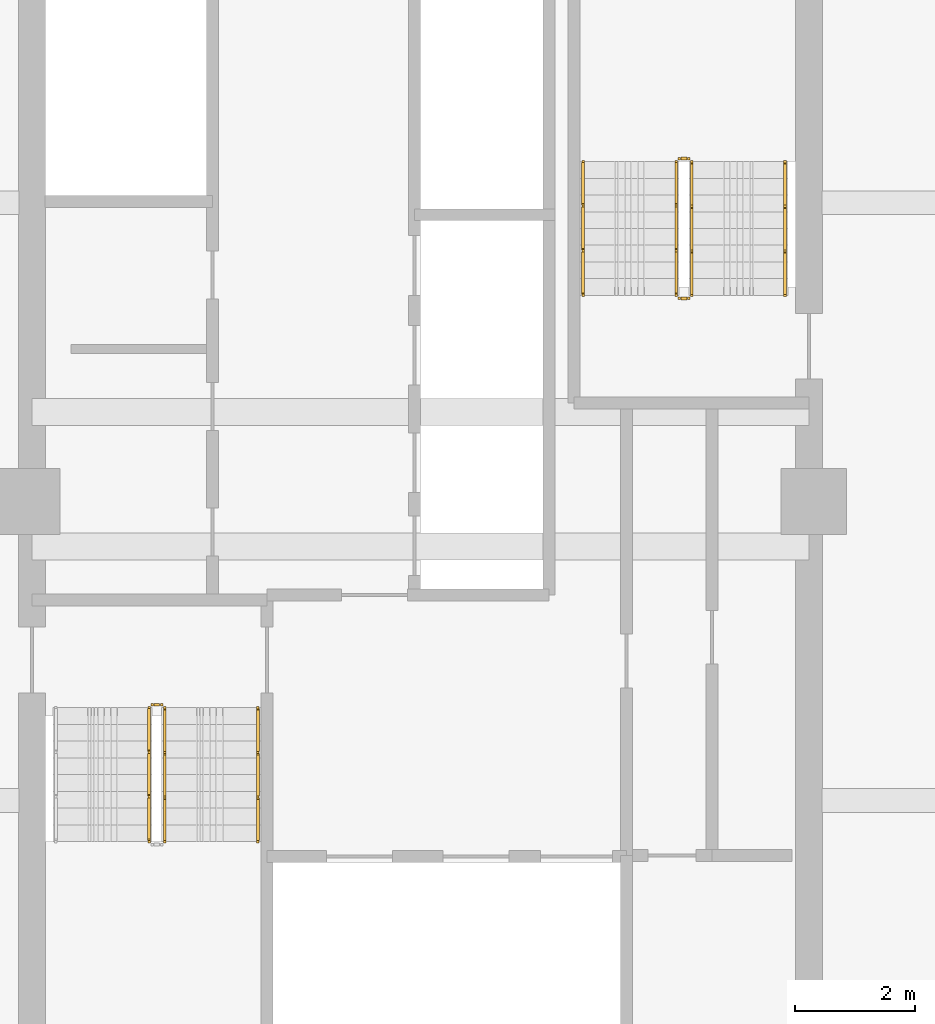
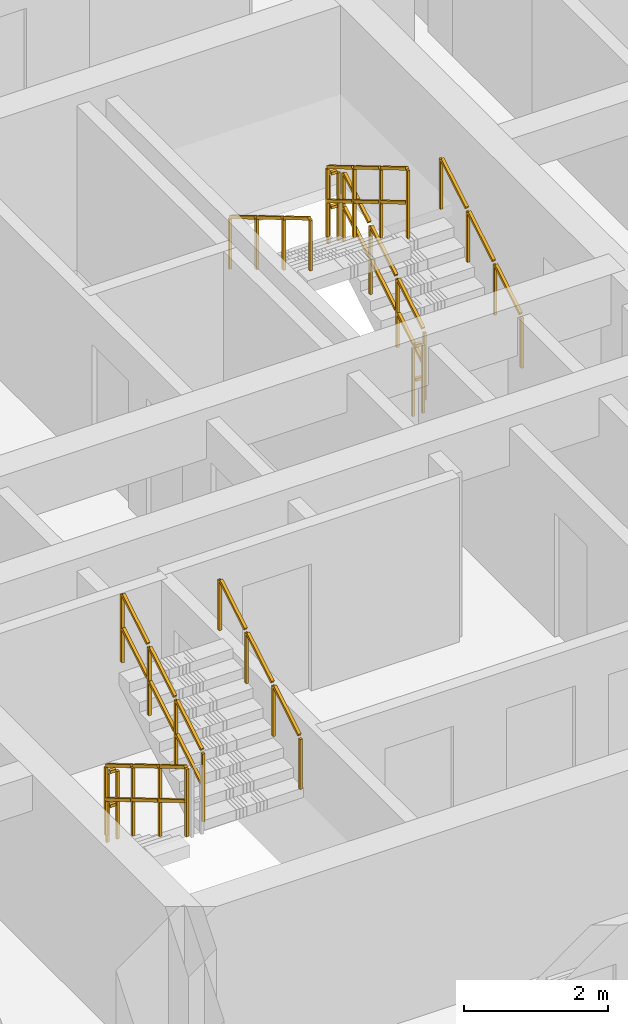
# One storey, part 21 of 23: 10 railings.
"""IFC4 building model written with IfcOpenShell, lengths in metres."""

import ifcopenshell
import ifcopenshell.guid

model = None  # the IFC model being written
_history = None  # IfcOwnerHistory: only IFC2X3 demands one
_inside = {}  # id of a spatial element -> (the spatial element, [elements in it])
_under = {}  # id of a project, library or spatial element -> (it, [spatial elements below it])
_declared = {}  # id of a project -> (the project, [libraries it declares])
_typed = {}  # id of a type object -> (the type object, [elements of that type])
_made_of = {}  # id of a material, layer set ... -> (it, [elements and type objects made of it])


def new_model(schema):
    """Start an empty IFC model of exactly this schema.

    Asked for "IFC4X3", IfcOpenShell would pick the latest addendum, in which some entities
    have other attributes; the version numbers below select the first issue.
    IFC2X3 requires an IfcOwnerHistory on every rooted entity: one is made here for all.
    """
    global model, _history
    if schema == "IFC4X3":
        model = ifcopenshell.file(schema_version=(4, 3, 0, 0))
    else:
        model = ifcopenshell.file(schema=schema)
    _inside.clear()
    _under.clear()
    _declared.clear()
    _typed.clear()
    _made_of.clear()
    _history = None
    if model.schema == "IFC2X3":
        org = make("IfcOrganization", Name="unknown")
        user = make(
            "IfcPersonAndOrganization",
            ThePerson=make("IfcPerson", FamilyName="unknown"),
            TheOrganization=org,
        )
        app = make(
            "IfcApplication",
            ApplicationDeveloper=org,
            Version="unknown",
            ApplicationFullName="unknown",
            ApplicationIdentifier="unknown",
        )
        _history = make(
            "IfcOwnerHistory",
            OwningUser=user,
            OwningApplication=app,
            ChangeAction="ADDED",
            CreationDate=0,
        )
    return model


def make(cls, **values):
    """One entity of the class cls with the attributes given. An attribute that is None is left unset."""
    return model.create_entity(
        cls, **{name: value for name, value in values.items() if value is not None}
    )


def rooted(cls, **values):
    """An entity with a GlobalId (a new one), such as an element, a storey or a relation."""
    return make(cls, GlobalId=ifcopenshell.guid.new(), OwnerHistory=_history, **values)


def si_unit(unit_type, name, prefix=None):
    """IfcSIUnit, for example si_unit("LENGTHUNIT", "METRE", prefix="MILLI")."""
    return make("IfcSIUnit", UnitType=unit_type, Prefix=prefix, Name=name)


def assignment(units):
    """IfcUnitAssignment: the units of a project."""
    return None if units is None else make("IfcUnitAssignment", Units=units)


def point(xyz):
    """IfcCartesianPoint."""
    return None if xyz is None else make("IfcCartesianPoint", Coordinates=xyz)


def direction(xyz):
    """IfcDirection."""
    return None if xyz is None else make("IfcDirection", DirectionRatios=xyz)


def frame(location, z_axis=None, x_axis=None):
    """IfcAxis2Placement3D, a coordinate frame: its origin and axes. An axis left out is left unset."""
    return make(
        "IfcAxis2Placement3D",
        Location=point(location),
        Axis=direction(z_axis),
        RefDirection=direction(x_axis),
    )


def frame_2d(location, x_axis=None):
    """IfcAxis2Placement2D, a coordinate frame in the plane: its origin and x axis."""
    return make(
        "IfcAxis2Placement2D", Location=point(location), RefDirection=direction(x_axis)
    )


def origin():
    """The frame at (0, 0, 0) with its axes left unset."""
    return frame((0.0, 0.0, 0.0))


def origin_2d():
    """The frame at (0, 0) in the plane with its x axis left unset."""
    return frame_2d((0.0, 0.0))


def place(relative_to, where):
    """IfcLocalPlacement: puts the frame where relative to a parent placement (None: the world)."""
    return make(
        "IfcLocalPlacement", PlacementRelTo=relative_to, RelativePlacement=where
    )


def context(
    kind, dimensions, precision=None, world=None, true_north=None, identifier=None
):
    """IfcGeometricRepresentationContext, for example the 3D "Model" context."""
    return make(
        "IfcGeometricRepresentationContext",
        ContextIdentifier=identifier,
        ContextType=kind,
        CoordinateSpaceDimension=dimensions,
        Precision=precision,
        WorldCoordinateSystem=world,
        TrueNorth=true_north,
    )


def subcontext(parent, identifier, kind, view, scale=None):
    """IfcGeometricRepresentationSubContext, for example "Body" below "Model"."""
    return make(
        "IfcGeometricRepresentationSubContext",
        ContextIdentifier=identifier,
        ContextType=kind,
        ParentContext=parent,
        TargetScale=scale,
        TargetView=view,
    )


def project(units=None, contexts=None):
    """IfcProject with its units and contexts."""
    return rooted(
        "IfcProject",
        Name="project",
        RepresentationContexts=contexts,
        UnitsInContext=assignment(units),
    )


def spatial(cls, under=None, at=None, **own):
    """A site, building, storey or space (cls), placed at a placement, below another one or the project."""
    s = rooted(cls, ObjectPlacement=at, **own)
    if under is not None:
        _under.setdefault(under.id(), (under, []))[1].append(s)
    return s


def profile(cls, at=None, kind="AREA", **sizes):
    """A parametric profile (cls). Its sizes go by their IFC names, for example OverallWidth=200.0."""
    return make(cls, ProfileType=kind, Position=at, **sizes)


def rectangle(**sizes):
    """IfcRectangleProfileDef."""
    return profile("IfcRectangleProfileDef", **sizes)


def extrude(swept, where, along, depth):
    """IfcExtrudedAreaSolid: the profile swept, set in the frame where, extruded along a direction by depth."""
    return make(
        "IfcExtrudedAreaSolid",
        SweptArea=swept,
        Position=where,
        ExtrudedDirection=direction(along),
        Depth=depth,
    )


def shape(context_of_items, identifier, shape_type, items):
    """IfcShapeRepresentation: the items that make up one representation, for example the "Body"."""
    return make(
        "IfcShapeRepresentation",
        ContextOfItems=context_of_items,
        RepresentationIdentifier=identifier,
        RepresentationType=shape_type,
        Items=items,
    )


def material(Name=None, Category=None):
    """IfcMaterial."""
    return make("IfcMaterial", Name=Name, Category=Category)


def made_of(thing, what):
    """Note that an element or type object is made of a material, layer set ...; save() writes the relation."""
    if what is not None:
        _made_of.setdefault(what.id(), (what, []))[1].append(thing)
    return thing


def type_object(cls, material=None, **own):
    """A type object (cls), such as IfcWallType, which elements share."""
    return made_of(rooted(cls, **own), material)


def element(
    cls,
    number,
    at=None,
    inside=None,
    cuts=None,
    type_object=None,
    material=None,
    context=None,
    identifier="Body",
    shape_type=None,
    held_by="IfcProductDefinitionShape",
    body=None,
    shapes=None,
    **own,
):
    """One element of the class cls, such as IfcWall. Its Tag is "e" and its number.

    at: its placement. inside: the storey or other place that contains it. cuts: it is an
    opening in that element (IfcRelVoidsElement). A single representation is given by context,
    identifier, shape_type and body (its items); several are given by shapes. held_by: the class
    of the entity that holds the representations. save() writes the other relations.
    """
    e = rooted(cls, Tag="e%d" % number, ObjectPlacement=at, **own)
    if body is not None:
        shapes = [shape(context, identifier, shape_type, body)]
    if shapes is not None:
        e.Representation = make(held_by, Representations=shapes)
    if inside is not None:
        _inside.setdefault(inside.id(), (inside, []))[1].append(e)
    if cuts is not None:
        rooted(
            "IfcRelVoidsElement", RelatingBuildingElement=cuts, RelatedOpeningElement=e
        )
    if type_object is not None:
        _typed.setdefault(type_object.id(), (type_object, []))[1].append(e)
    return made_of(e, material)


def aggregate(whole, parts):
    """IfcRelAggregates: a whole, such as a stair, and the parts it consists of."""
    return rooted("IfcRelAggregates", RelatingObject=whole, RelatedObjects=parts)


def save(model, path):
    """Write the relations noted so far, then the file.

    IfcRelAggregates (storeys below a building ...), IfcRelContainedInSpatialStructure (elements
    in a storey), IfcRelDefinesByType, IfcRelAssociatesMaterial and IfcRelDeclares: one each for
    every whole, place, type object, material and project.
    """
    for whole, parts in _under.values():
        aggregate(whole, parts)
    for where, things in _inside.values():
        rooted(
            "IfcRelContainedInSpatialStructure",
            RelatedElements=things,
            RelatingStructure=where,
        )
    for kind, things in _typed.values():
        rooted("IfcRelDefinesByType", RelatedObjects=things, RelatingType=kind)
    for what, things in _made_of.values():
        rooted("IfcRelAssociatesMaterial", RelatedObjects=things, RelatingMaterial=what)
    for by, libraries in _declared.values():
        rooted("IfcRelDeclares", RelatingContext=by, RelatedDefinitions=libraries)
    model.write(path)


model = new_model("IFC4")

# Units and contexts
model_context = context("Model", 3, precision=1e-05, world=origin(), true_north=direction((0.0, 1.0)))
body_context = subcontext(model_context, "Body", "Model", "MODEL_VIEW")
ifc_project = project(units=[si_unit("LENGTHUNIT", "METRE"), si_unit("AREAUNIT", "SQUARE_METRE"), si_unit("VOLUMEUNIT", "CUBIC_METRE"), si_unit("PLANEANGLEUNIT", "RADIAN"), si_unit("MASSUNIT", "GRAM", prefix="KILO")], contexts=[model_context])

# Site, building, storey
site_placement = place(None, origin())
site = spatial("IfcSite", under=ifc_project, at=site_placement, CompositionType="ELEMENT")
building_placement = place(site_placement, origin())
building = spatial("IfcBuilding", under=site, at=building_placement, Name="Saelheon Loggia Tower", CompositionType="ELEMENT")
storey_placement = place(building_placement, frame((0.0, 0.0, 156.10009765625)))
storey = spatial("IfcBuildingStorey", under=building, at=storey_placement, Name="L49", CompositionType="ELEMENT", Elevation=156.10009765625)

# Railings
ifc_material_1 = material(Name="Galvanised Steel S275 Stairwell Guardrail", Category="steel")
railing_type_1 = type_object("IfcRailingType", Name="Guard_StairWell_RL_STG", PredefinedType="GUARDRAIL", material=ifc_material_1)
railing_1_placement = place(storey_placement, frame((33.4599609375, 23.550048828125, 0.16650390625)))
element("IfcRailing", 1, at=railing_1_placement, inside=storey, type_object=railing_type_1, Name="L49 ST1 stair guard 1", PredefinedType="GUARDRAIL", context=body_context, shape_type="SweptSolid", body=[
    extrude(rectangle(XDim=0.048095703125, YDim=0.048095703125, at=origin_2d()), frame((0.0, -0.028564453125, 1.19287109375), z_axis=(0.0, -0.859264461869, 0.511531606619), x_axis=(1.0, 0.0, 0.0)), (0.0, 0.0, 1.0), 0.802490234375),
    extrude(rectangle(XDim=0.048095703125, YDim=0.048095703125, at=origin_2d()), frame((0.0, -0.028564453125, 0.616943359375), z_axis=(0.0, -0.859264461869, 0.511531606619), x_axis=(1.0, 0.0, 0.0)), (0.0, 0.0, 1.0), 0.802490234375),
    extrude(rectangle(XDim=0.048095703125, YDim=0.048095703125, at=origin_2d()), frame((0.0, -0.775146484375, 1.637451171875), z_axis=(0.0, -0.859264461869, 0.511531606619), x_axis=(1.0, 0.0, 0.0)), (0.0, 0.0, 1.0), 0.802490234375),
    extrude(rectangle(XDim=0.048095703125, YDim=0.048095703125, at=origin_2d()), frame((0.0, -0.775146484375, 1.0615234375), z_axis=(0.0, -0.859264461869, 0.511531606619), x_axis=(1.0, 0.0, 0.0)), (0.0, 0.0, 1.0), 0.802490234375),
    extrude(rectangle(XDim=0.048095703125, YDim=0.048095703125, at=origin_2d()), frame((0.0, -1.52197265625, 2.081787109375), z_axis=(0.0, -0.859264461869, 0.511531606619), x_axis=(1.0, 0.0, 0.0)), (0.0, 0.0, 1.0), 0.802490234375),
    extrude(rectangle(XDim=0.048095703125, YDim=0.048095703125, at=origin_2d()), frame((0.0, -1.52197265625, 1.505859375), z_axis=(0.0, -0.859264461869, 0.511531606619), x_axis=(1.0, 0.0, 0.0)), (0.0, 0.0, 1.0), 0.802490234375),
    extrude(rectangle(XDim=0.0419921875, YDim=0.0419921875, at=origin_2d()), origin(), (0.0, 0.0, 1.0), 1.14794921875),
    extrude(rectangle(XDim=0.0419921875, YDim=0.0419921875, at=origin_2d()), frame((0.0, -0.74658203125, 0.444580078125)), (0.0, 0.0, 1.0), 1.14794921875),
    extrude(rectangle(XDim=0.0419921875, YDim=0.0419921875, at=origin_2d()), frame((0.0, -1.493408203125, 0.888916015625)), (0.0, 0.0, 1.0), 1.14794921875),
    extrude(rectangle(XDim=0.0419921875, YDim=0.0419921875, at=origin_2d()), frame((0.0, -2.239990234375, 1.33349609375)), (0.0, 0.0, 1.0), 1.14794921875),
])
railing_2_placement = place(storey_placement, frame((33.719970703125, 21.31005859375, 1.66650390625)))
element("IfcRailing", 2, at=railing_2_placement, inside=storey, type_object=railing_type_1, Name="L49 ST1 stair guard 3", PredefinedType="GUARDRAIL", context=body_context, shape_type="SweptSolid", body=[
    extrude(rectangle(XDim=0.048095703125, YDim=0.048095703125, at=origin_2d()), frame((0.0, 0.028564453125, 1.19287109375), z_axis=(0.0, 0.859264461869, 0.511531606619), x_axis=(-1.0, 0.0, 0.0)), (0.0, 0.0, 1.0), 0.802490234375),
    extrude(rectangle(XDim=0.048095703125, YDim=0.048095703125, at=origin_2d()), frame((0.0, 0.028564453125, 0.616943359375), z_axis=(0.0, 0.859264461869, 0.511531606619), x_axis=(-1.0, 0.0, 0.0)), (0.0, 0.0, 1.0), 0.802490234375),
    extrude(rectangle(XDim=0.048095703125, YDim=0.048095703125, at=origin_2d()), frame((0.0, 0.775146484375, 1.637451171875), z_axis=(0.0, 0.859264461869, 0.511531606619), x_axis=(-1.0, 0.0, 0.0)), (0.0, 0.0, 1.0), 0.802490234375),
    extrude(rectangle(XDim=0.048095703125, YDim=0.048095703125, at=origin_2d()), frame((0.0, 0.775146484375, 1.0615234375), z_axis=(0.0, 0.859264461869, 0.511531606619), x_axis=(-1.0, 0.0, 0.0)), (0.0, 0.0, 1.0), 0.802490234375),
    extrude(rectangle(XDim=0.048095703125, YDim=0.048095703125, at=origin_2d()), frame((0.0, 1.52197265625, 2.081787109375), z_axis=(0.0, 0.859264461869, 0.511531606619), x_axis=(-1.0, 0.0, 0.0)), (0.0, 0.0, 1.0), 0.802490234375),
    extrude(rectangle(XDim=0.048095703125, YDim=0.048095703125, at=origin_2d()), frame((0.0, 1.52197265625, 1.505859375), z_axis=(0.0, 0.859264461869, 0.511531606619), x_axis=(-1.0, 0.0, 0.0)), (0.0, 0.0, 1.0), 0.802490234375),
    extrude(rectangle(XDim=0.0419921875, YDim=0.0419921875, at=origin_2d()), origin(), (0.0, 0.0, 1.0), 1.14794921875),
    extrude(rectangle(XDim=0.0419921875, YDim=0.0419921875, at=origin_2d()), frame((0.0, 0.74658203125, 0.444580078125)), (0.0, 0.0, 1.0), 1.14794921875),
    extrude(rectangle(XDim=0.0419921875, YDim=0.0419921875, at=origin_2d()), frame((0.0, 1.493408203125, 0.888916015625)), (0.0, 0.0, 1.0), 1.14794921875),
    extrude(rectangle(XDim=0.0419921875, YDim=0.0419921875, at=origin_2d()), frame((0.0, 2.239990234375, 1.33349609375)), (0.0, 0.0, 1.0), 1.14794921875),
])
railing_3_placement = place(storey_placement, frame((33.510009765625, 23.60009765625, 0.0)))
element("IfcRailing", 3, at=railing_3_placement, inside=storey, type_object=railing_type_1, Name="L49 ST1 stair guard 4", PredefinedType="GUARDRAIL", context=body_context, shape_type="SweptSolid", body=[
    extrude(rectangle(XDim=0.048095703125, YDim=0.048095703125, at=origin_2d()), frame((0.033203125, 0.0, 1.17578125), z_axis=(1.0, 0.0, 0.0), x_axis=(0.0, 1.0, 0.0)), (0.0, 0.0, 1.0), 0.093505859375),
    extrude(rectangle(XDim=0.048095703125, YDim=0.048095703125, at=origin_2d()), frame((0.033203125, 0.0, 0.60009765625), z_axis=(1.0, 0.0, 0.0), x_axis=(0.0, 1.0, 0.0)), (0.0, 0.0, 1.0), 0.093505859375),
    extrude(rectangle(XDim=0.0419921875, YDim=0.0419921875, at=origin_2d()), origin(), (0.0, 0.0, 1.0), 1.14794921875),
    extrude(rectangle(XDim=0.0419921875, YDim=0.0419921875, at=origin_2d()), frame((0.159912109375, 0.0, 0.0)), (0.0, 0.0, 1.0), 1.14794921875),
])
railing_4_placement = place(storey_placement, frame((42.5400390625, 30.449951171875, 0.16650390625)))
element("IfcRailing", 4, at=railing_4_placement, inside=storey, type_object=railing_type_1, Name="L49 ST2 stair guard 1", PredefinedType="GUARDRAIL", context=body_context, shape_type="SweptSolid", body=[
    extrude(rectangle(XDim=0.048095703125, YDim=0.048095703125, at=origin_2d()), frame((0.0, 0.028564453125, 1.19287109375), z_axis=(0.0, 0.859264461869, 0.511531606619), x_axis=(-1.0, 0.0, 0.0)), (0.0, 0.0, 1.0), 0.802490234375),
    extrude(rectangle(XDim=0.048095703125, YDim=0.048095703125, at=origin_2d()), frame((0.0, 0.028564453125, 0.616943359375), z_axis=(0.0, 0.859264461869, 0.511531606619), x_axis=(-1.0, 0.0, 0.0)), (0.0, 0.0, 1.0), 0.802490234375),
    extrude(rectangle(XDim=0.048095703125, YDim=0.048095703125, at=origin_2d()), frame((0.0, 0.775146484375, 1.637451171875), z_axis=(0.0, 0.859264461869, 0.511531606619), x_axis=(-1.0, 0.0, 0.0)), (0.0, 0.0, 1.0), 0.802490234375),
    extrude(rectangle(XDim=0.048095703125, YDim=0.048095703125, at=origin_2d()), frame((0.0, 0.775146484375, 1.0615234375), z_axis=(0.0, 0.859264461869, 0.511531606619), x_axis=(-1.0, 0.0, 0.0)), (0.0, 0.0, 1.0), 0.802490234375),
    extrude(rectangle(XDim=0.048095703125, YDim=0.048095703125, at=origin_2d()), frame((0.0, 1.52197265625, 2.081787109375), z_axis=(0.0, 0.859264461869, 0.511531606619), x_axis=(-1.0, 0.0, 0.0)), (0.0, 0.0, 1.0), 0.802490234375),
    extrude(rectangle(XDim=0.048095703125, YDim=0.048095703125, at=origin_2d()), frame((0.0, 1.52197265625, 1.505859375), z_axis=(0.0, 0.859264461869, 0.511531606619), x_axis=(-1.0, 0.0, 0.0)), (0.0, 0.0, 1.0), 0.802490234375),
    extrude(rectangle(XDim=0.0419921875, YDim=0.0419921875, at=origin_2d()), origin(), (0.0, 0.0, 1.0), 1.14794921875),
    extrude(rectangle(XDim=0.0419921875, YDim=0.0419921875, at=origin_2d()), frame((0.0, 0.74658203125, 0.444580078125)), (0.0, 0.0, 1.0), 1.14794921875),
    extrude(rectangle(XDim=0.0419921875, YDim=0.0419921875, at=origin_2d()), frame((0.0, 1.493408203125, 0.888916015625)), (0.0, 0.0, 1.0), 1.14794921875),
    extrude(rectangle(XDim=0.0419921875, YDim=0.0419921875, at=origin_2d()), frame((0.0, 2.239990234375, 1.33349609375)), (0.0, 0.0, 1.0), 1.14794921875),
])
railing_5_placement = place(storey_placement, frame((42.489990234375, 32.739990234375, 1.5)))
element("IfcRailing", 5, at=railing_5_placement, inside=storey, type_object=railing_type_1, Name="L49 ST2 stair guard 2", PredefinedType="GUARDRAIL", context=body_context, shape_type="SweptSolid", body=[
    extrude(rectangle(XDim=0.048095703125, YDim=0.048095703125, at=origin_2d()), frame((-0.033203125, 0.0, 1.17578125), z_axis=(-1.0, 0.0, 0.0), x_axis=(0.0, -1.0, 0.0)), (0.0, 0.0, 1.0), 0.093505859375),
    extrude(rectangle(XDim=0.048095703125, YDim=0.048095703125, at=origin_2d()), frame((-0.033203125, 0.0, 0.60009765625), z_axis=(-1.0, 0.0, 0.0), x_axis=(0.0, -1.0, 0.0)), (0.0, 0.0, 1.0), 0.093505859375),
    extrude(rectangle(XDim=0.0419921875, YDim=0.0419921875, at=origin_2d()), origin(), (0.0, 0.0, 1.0), 1.14794921875),
    extrude(rectangle(XDim=0.0419921875, YDim=0.0419921875, at=origin_2d()), frame((-0.159912109375, 0.0, 0.0)), (0.0, 0.0, 1.0), 1.14794921875),
])
railing_6_placement = place(storey_placement, frame((42.280029296875, 32.68994140625, 1.66650390625)))
element("IfcRailing", 6, at=railing_6_placement, inside=storey, type_object=railing_type_1, Name="L49 ST2 stair guard 3", PredefinedType="GUARDRAIL", context=body_context, shape_type="SweptSolid", body=[
    extrude(rectangle(XDim=0.048095703125, YDim=0.048095703125, at=origin_2d()), frame((0.0, -0.028564453125, 1.19287109375), z_axis=(0.0, -0.859264461869, 0.511531606619), x_axis=(1.0, 0.0, 0.0)), (0.0, 0.0, 1.0), 0.802490234375),
    extrude(rectangle(XDim=0.048095703125, YDim=0.048095703125, at=origin_2d()), frame((0.0, -0.028564453125, 0.616943359375), z_axis=(0.0, -0.859264461869, 0.511531606619), x_axis=(1.0, 0.0, 0.0)), (0.0, 0.0, 1.0), 0.802490234375),
    extrude(rectangle(XDim=0.048095703125, YDim=0.048095703125, at=origin_2d()), frame((0.0, -0.775146484375, 1.637451171875), z_axis=(0.0, -0.859264461869, 0.511531606619), x_axis=(1.0, 0.0, 0.0)), (0.0, 0.0, 1.0), 0.802490234375),
    extrude(rectangle(XDim=0.048095703125, YDim=0.048095703125, at=origin_2d()), frame((0.0, -0.775146484375, 1.0615234375), z_axis=(0.0, -0.859264461869, 0.511531606619), x_axis=(1.0, 0.0, 0.0)), (0.0, 0.0, 1.0), 0.802490234375),
    extrude(rectangle(XDim=0.048095703125, YDim=0.048095703125, at=origin_2d()), frame((0.0, -1.52197265625, 2.081787109375), z_axis=(0.0, -0.859264461869, 0.511531606619), x_axis=(1.0, 0.0, 0.0)), (0.0, 0.0, 1.0), 0.802490234375),
    extrude(rectangle(XDim=0.048095703125, YDim=0.048095703125, at=origin_2d()), frame((0.0, -1.52197265625, 1.505859375), z_axis=(0.0, -0.859264461869, 0.511531606619), x_axis=(1.0, 0.0, 0.0)), (0.0, 0.0, 1.0), 0.802490234375),
    extrude(rectangle(XDim=0.0419921875, YDim=0.0419921875, at=origin_2d()), origin(), (0.0, 0.0, 1.0), 1.14794921875),
    extrude(rectangle(XDim=0.0419921875, YDim=0.0419921875, at=origin_2d()), frame((0.0, -0.74658203125, 0.444580078125)), (0.0, 0.0, 1.0), 1.14794921875),
    extrude(rectangle(XDim=0.0419921875, YDim=0.0419921875, at=origin_2d()), frame((0.0, -1.493408203125, 0.888916015625)), (0.0, 0.0, 1.0), 1.14794921875),
    extrude(rectangle(XDim=0.0419921875, YDim=0.0419921875, at=origin_2d()), frame((0.0, -2.239990234375, 1.33349609375)), (0.0, 0.0, 1.0), 1.14794921875),
])
railing_7_placement = place(storey_placement, frame((42.489990234375, 30.39990234375, 0.0)))
element("IfcRailing", 7, at=railing_7_placement, inside=storey, type_object=railing_type_1, Name="L49 ST2 stair guard 4", PredefinedType="GUARDRAIL", context=body_context, shape_type="SweptSolid", body=[
    extrude(rectangle(XDim=0.048095703125, YDim=0.048095703125, at=origin_2d()), frame((-0.033203125, 0.0, 1.17578125), z_axis=(-1.0, 0.0, 0.0), x_axis=(0.0, -1.0, 0.0)), (0.0, 0.0, 1.0), 0.093505859375),
    extrude(rectangle(XDim=0.048095703125, YDim=0.048095703125, at=origin_2d()), frame((-0.033203125, 0.0, 0.60009765625), z_axis=(-1.0, 0.0, 0.0), x_axis=(0.0, -1.0, 0.0)), (0.0, 0.0, 1.0), 0.093505859375),
    extrude(rectangle(XDim=0.0419921875, YDim=0.0419921875, at=origin_2d()), origin(), (0.0, 0.0, 1.0), 1.14794921875),
    extrude(rectangle(XDim=0.0419921875, YDim=0.0419921875, at=origin_2d()), frame((-0.159912109375, 0.0, 0.0)), (0.0, 0.0, 1.0), 1.14794921875),
])
ifc_material_2 = material(Name="Stainless Steel 304 Tubular Handrail", Category="steel")
railing_type_2 = type_object("IfcRailingType", Name="Handrail_Stair_RL_HR1", PredefinedType="HANDRAIL", material=ifc_material_2)
for number, where, name in (
    (8, (35.280029296875, 21.31005859375, 1.66650390625), "L49 ST1 stair handrail 2"),
    (9, (44.10009765625, 30.449951171875, 0.16650390625), "L49 ST2 stair handrail 1"),
):
    element("IfcRailing", number, at=place(storey_placement, frame(where)), inside=storey, type_object=railing_type_2, Name=name, PredefinedType="HANDRAIL", context=body_context, shape_type="SweptSolid", body=[
        extrude(rectangle(XDim=0.048095703125, YDim=0.048095703125, at=origin_2d()), frame((0.0, 0.028564453125, 0.892822265625), z_axis=(0.0, 0.859264461869, 0.511531606619), x_axis=(-1.0, 0.0, 0.0)), (0.0, 0.0, 1.0), 0.802490234375),
        extrude(rectangle(XDim=0.048095703125, YDim=0.048095703125, at=origin_2d()), frame((0.0, 0.775146484375, 1.33740234375), z_axis=(0.0, 0.859264461869, 0.511531606619), x_axis=(-1.0, 0.0, 0.0)), (0.0, 0.0, 1.0), 0.802490234375),
        extrude(rectangle(XDim=0.048095703125, YDim=0.048095703125, at=origin_2d()), frame((0.0, 1.52197265625, 1.78173828125), z_axis=(0.0, 0.859264461869, 0.511531606619), x_axis=(-1.0, 0.0, 0.0)), (0.0, 0.0, 1.0), 0.802490234375),
        extrude(rectangle(XDim=0.0419921875, YDim=0.0419921875, at=origin_2d()), origin(), (0.0, 0.0, 1.0), 0.847900390625),
        extrude(rectangle(XDim=0.0419921875, YDim=0.0419921875, at=origin_2d()), frame((0.0, 0.74658203125, 0.444580078125)), (0.0, 0.0, 1.0), 0.847900390625),
        extrude(rectangle(XDim=0.0419921875, YDim=0.0419921875, at=origin_2d()), frame((0.0, 1.493408203125, 0.888916015625)), (0.0, 0.0, 1.0), 0.847900390625),
        extrude(rectangle(XDim=0.0419921875, YDim=0.0419921875, at=origin_2d()), frame((0.0, 2.239990234375, 1.33349609375)), (0.0, 0.0, 1.0), 0.847900390625),
    ])
railing_8_placement = place(storey_placement, frame((40.719970703125, 32.68994140625, 1.66650390625)))
element("IfcRailing", 10, at=railing_8_placement, inside=storey, type_object=railing_type_2, Name="L49 ST2 stair handrail 2", PredefinedType="HANDRAIL", context=body_context, shape_type="SweptSolid", body=[
    extrude(rectangle(XDim=0.048095703125, YDim=0.048095703125, at=origin_2d()), frame((0.0, -0.028564453125, 0.892822265625), z_axis=(0.0, -0.859264461869, 0.511531606619), x_axis=(1.0, 0.0, 0.0)), (0.0, 0.0, 1.0), 0.802490234375),
    extrude(rectangle(XDim=0.048095703125, YDim=0.048095703125, at=origin_2d()), frame((0.0, -0.775146484375, 1.33740234375), z_axis=(0.0, -0.859264461869, 0.511531606619), x_axis=(1.0, 0.0, 0.0)), (0.0, 0.0, 1.0), 0.802490234375),
    extrude(rectangle(XDim=0.048095703125, YDim=0.048095703125, at=origin_2d()), frame((0.0, -1.52197265625, 1.78173828125), z_axis=(0.0, -0.859264461869, 0.511531606619), x_axis=(1.0, 0.0, 0.0)), (0.0, 0.0, 1.0), 0.802490234375),
    extrude(rectangle(XDim=0.0419921875, YDim=0.0419921875, at=origin_2d()), origin(), (0.0, 0.0, 1.0), 0.847900390625),
    extrude(rectangle(XDim=0.0419921875, YDim=0.0419921875, at=origin_2d()), frame((0.0, -0.74658203125, 0.444580078125)), (0.0, 0.0, 1.0), 0.847900390625),
    extrude(rectangle(XDim=0.0419921875, YDim=0.0419921875, at=origin_2d()), frame((0.0, -1.493408203125, 0.888916015625)), (0.0, 0.0, 1.0), 0.847900390625),
    extrude(rectangle(XDim=0.0419921875, YDim=0.0419921875, at=origin_2d()), frame((0.0, -2.239990234375, 1.33349609375)), (0.0, 0.0, 1.0), 0.847900390625),
])

save(model, "model.ifc")
